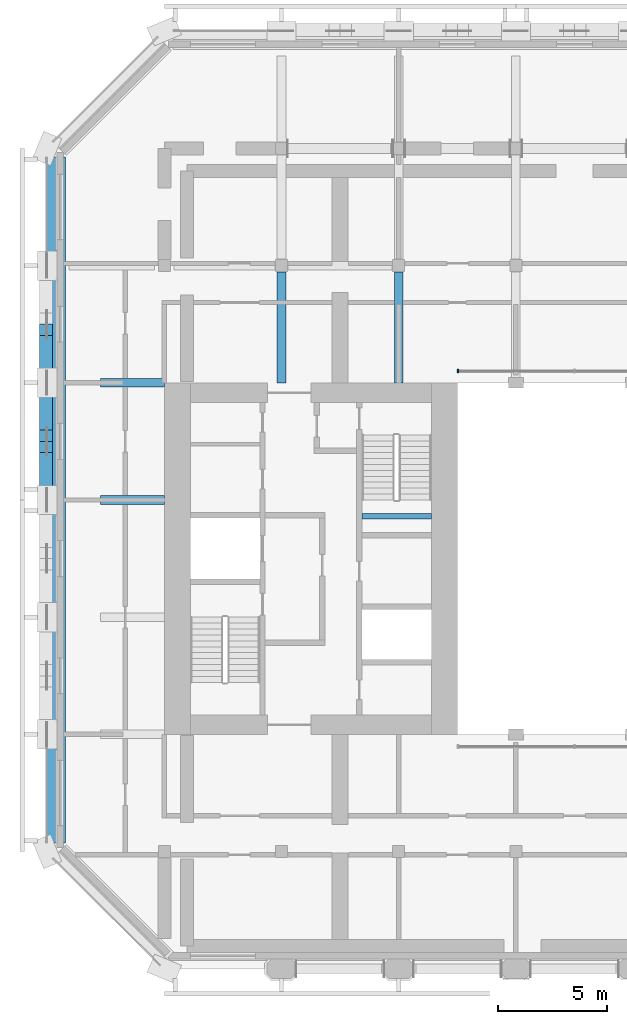
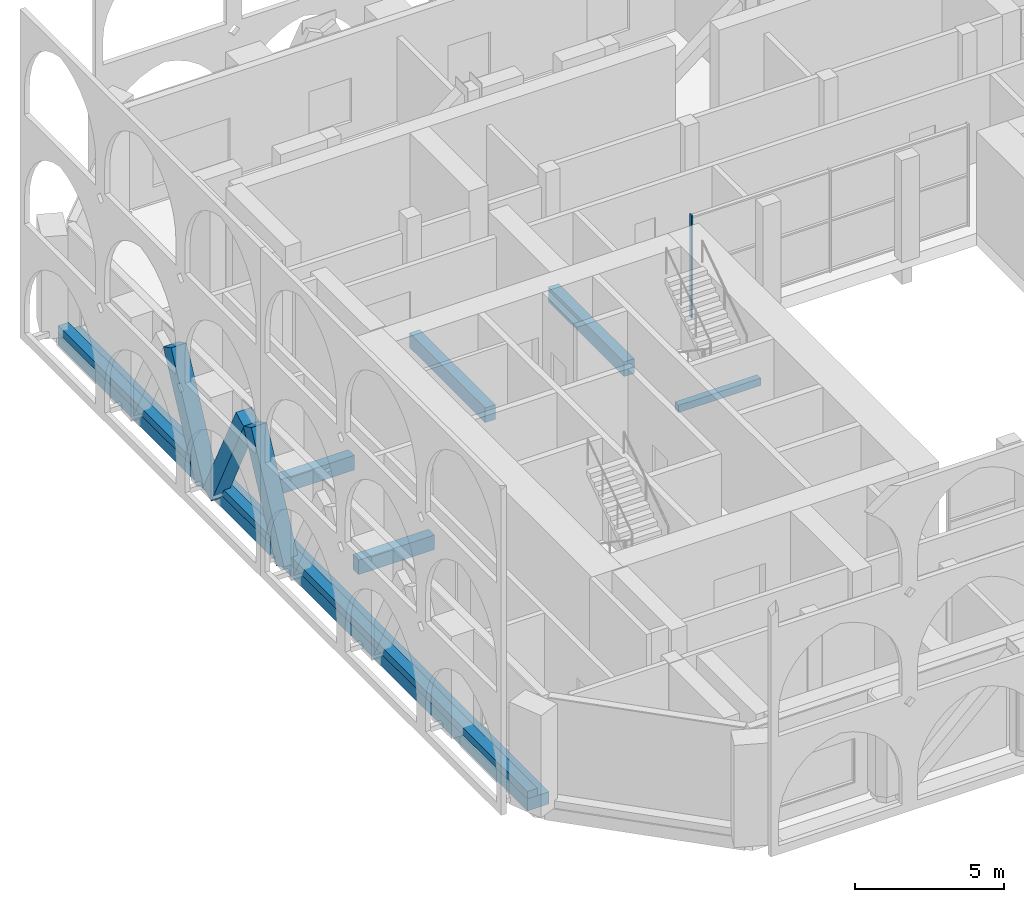
# One storey, part 3 of 16: 7 beams, 4 members, 1 element without a shape of its own.
"""IFC4 building model written with IfcOpenShell, lengths in metres."""

import ifcopenshell
import ifcopenshell.guid

model = None  # the IFC model being written
_history = None  # IfcOwnerHistory: only IFC2X3 demands one
_inside = {}  # id of a spatial element -> (the spatial element, [elements in it])
_under = {}  # id of a project, library or spatial element -> (it, [spatial elements below it])
_declared = {}  # id of a project -> (the project, [libraries it declares])
_typed = {}  # id of a type object -> (the type object, [elements of that type])
_made_of = {}  # id of a material, layer set ... -> (it, [elements and type objects made of it])


def new_model(schema):
    """Start an empty IFC model of exactly this schema.

    Asked for "IFC4X3", IfcOpenShell would pick the latest addendum, in which some entities
    have other attributes; the version numbers below select the first issue.
    IFC2X3 requires an IfcOwnerHistory on every rooted entity: one is made here for all.
    """
    global model, _history
    if schema == "IFC4X3":
        model = ifcopenshell.file(schema_version=(4, 3, 0, 0))
    else:
        model = ifcopenshell.file(schema=schema)
    _inside.clear()
    _under.clear()
    _declared.clear()
    _typed.clear()
    _made_of.clear()
    _history = None
    if model.schema == "IFC2X3":
        org = make("IfcOrganization", Name="unknown")
        user = make(
            "IfcPersonAndOrganization",
            ThePerson=make("IfcPerson", FamilyName="unknown"),
            TheOrganization=org,
        )
        app = make(
            "IfcApplication",
            ApplicationDeveloper=org,
            Version="unknown",
            ApplicationFullName="unknown",
            ApplicationIdentifier="unknown",
        )
        _history = make(
            "IfcOwnerHistory",
            OwningUser=user,
            OwningApplication=app,
            ChangeAction="ADDED",
            CreationDate=0,
        )
    return model


def make(cls, **values):
    """One entity of the class cls with the attributes given. An attribute that is None is left unset."""
    return model.create_entity(
        cls, **{name: value for name, value in values.items() if value is not None}
    )


def rooted(cls, **values):
    """An entity with a GlobalId (a new one), such as an element, a storey or a relation."""
    return make(cls, GlobalId=ifcopenshell.guid.new(), OwnerHistory=_history, **values)


def si_unit(unit_type, name, prefix=None):
    """IfcSIUnit, for example si_unit("LENGTHUNIT", "METRE", prefix="MILLI")."""
    return make("IfcSIUnit", UnitType=unit_type, Prefix=prefix, Name=name)


def assignment(units):
    """IfcUnitAssignment: the units of a project."""
    return None if units is None else make("IfcUnitAssignment", Units=units)


def point(xyz):
    """IfcCartesianPoint."""
    return None if xyz is None else make("IfcCartesianPoint", Coordinates=xyz)


def direction(xyz):
    """IfcDirection."""
    return None if xyz is None else make("IfcDirection", DirectionRatios=xyz)


def frame(location, z_axis=None, x_axis=None):
    """IfcAxis2Placement3D, a coordinate frame: its origin and axes. An axis left out is left unset."""
    return make(
        "IfcAxis2Placement3D",
        Location=point(location),
        Axis=direction(z_axis),
        RefDirection=direction(x_axis),
    )


def frame_2d(location, x_axis=None):
    """IfcAxis2Placement2D, a coordinate frame in the plane: its origin and x axis."""
    return make(
        "IfcAxis2Placement2D", Location=point(location), RefDirection=direction(x_axis)
    )


def origin():
    """The frame at (0, 0, 0) with its axes left unset."""
    return frame((0.0, 0.0, 0.0))


def origin_2d():
    """The frame at (0, 0) in the plane with its x axis left unset."""
    return frame_2d((0.0, 0.0))


def place(relative_to, where):
    """IfcLocalPlacement: puts the frame where relative to a parent placement (None: the world)."""
    return make(
        "IfcLocalPlacement", PlacementRelTo=relative_to, RelativePlacement=where
    )


def context(
    kind, dimensions, precision=None, world=None, true_north=None, identifier=None
):
    """IfcGeometricRepresentationContext, for example the 3D "Model" context."""
    return make(
        "IfcGeometricRepresentationContext",
        ContextIdentifier=identifier,
        ContextType=kind,
        CoordinateSpaceDimension=dimensions,
        Precision=precision,
        WorldCoordinateSystem=world,
        TrueNorth=true_north,
    )


def subcontext(parent, identifier, kind, view, scale=None):
    """IfcGeometricRepresentationSubContext, for example "Body" below "Model"."""
    return make(
        "IfcGeometricRepresentationSubContext",
        ContextIdentifier=identifier,
        ContextType=kind,
        ParentContext=parent,
        TargetScale=scale,
        TargetView=view,
    )


def project(units=None, contexts=None):
    """IfcProject with its units and contexts."""
    return rooted(
        "IfcProject",
        Name="project",
        RepresentationContexts=contexts,
        UnitsInContext=assignment(units),
    )


def spatial(cls, under=None, at=None, **own):
    """A site, building, storey or space (cls), placed at a placement, below another one or the project."""
    s = rooted(cls, ObjectPlacement=at, **own)
    if under is not None:
        _under.setdefault(under.id(), (under, []))[1].append(s)
    return s


def profile(cls, at=None, kind="AREA", **sizes):
    """A parametric profile (cls). Its sizes go by their IFC names, for example OverallWidth=200.0."""
    return make(cls, ProfileType=kind, Position=at, **sizes)


def rectangle(**sizes):
    """IfcRectangleProfileDef."""
    return profile("IfcRectangleProfileDef", **sizes)


def extrude(swept, where, along, depth):
    """IfcExtrudedAreaSolid: the profile swept, set in the frame where, extruded along a direction by depth."""
    return make(
        "IfcExtrudedAreaSolid",
        SweptArea=swept,
        Position=where,
        ExtrudedDirection=direction(along),
        Depth=depth,
    )


def shape(context_of_items, identifier, shape_type, items):
    """IfcShapeRepresentation: the items that make up one representation, for example the "Body"."""
    return make(
        "IfcShapeRepresentation",
        ContextOfItems=context_of_items,
        RepresentationIdentifier=identifier,
        RepresentationType=shape_type,
        Items=items,
    )


def material(Name=None, Category=None):
    """IfcMaterial."""
    return make("IfcMaterial", Name=Name, Category=Category)


def material_profile(
    of_material, cross_section, Name=None, Category=None, Priority=None
):
    """IfcMaterialProfile: a cross section and its material."""
    return make(
        "IfcMaterialProfile",
        Name=Name,
        Material=of_material,
        Profile=cross_section,
        Priority=Priority,
        Category=Category,
    )


def profile_set(profiles, Name=None, composite=None):
    """IfcMaterialProfileSet."""
    return make(
        "IfcMaterialProfileSet",
        Name=Name,
        MaterialProfiles=profiles,
        CompositeProfile=composite,
    )


def made_of(thing, what):
    """Note that an element or type object is made of a material, layer set ...; save() writes the relation."""
    if what is not None:
        _made_of.setdefault(what.id(), (what, []))[1].append(thing)
    return thing


def type_object(cls, material=None, **own):
    """A type object (cls), such as IfcWallType, which elements share."""
    return made_of(rooted(cls, **own), material)


def element(
    cls,
    number,
    at=None,
    inside=None,
    cuts=None,
    type_object=None,
    material=None,
    context=None,
    identifier="Body",
    shape_type=None,
    held_by="IfcProductDefinitionShape",
    body=None,
    shapes=None,
    **own,
):
    """One element of the class cls, such as IfcWall. Its Tag is "e" and its number.

    at: its placement. inside: the storey or other place that contains it. cuts: it is an
    opening in that element (IfcRelVoidsElement). A single representation is given by context,
    identifier, shape_type and body (its items); several are given by shapes. held_by: the class
    of the entity that holds the representations. save() writes the other relations.
    """
    e = rooted(cls, Tag="e%d" % number, ObjectPlacement=at, **own)
    if body is not None:
        shapes = [shape(context, identifier, shape_type, body)]
    if shapes is not None:
        e.Representation = make(held_by, Representations=shapes)
    if inside is not None:
        _inside.setdefault(inside.id(), (inside, []))[1].append(e)
    if cuts is not None:
        rooted(
            "IfcRelVoidsElement", RelatingBuildingElement=cuts, RelatedOpeningElement=e
        )
    if type_object is not None:
        _typed.setdefault(type_object.id(), (type_object, []))[1].append(e)
    return made_of(e, material)


def aggregate(whole, parts):
    """IfcRelAggregates: a whole, such as a stair, and the parts it consists of."""
    return rooted("IfcRelAggregates", RelatingObject=whole, RelatedObjects=parts)


def save(model, path):
    """Write the relations noted so far, then the file.

    IfcRelAggregates (storeys below a building ...), IfcRelContainedInSpatialStructure (elements
    in a storey), IfcRelDefinesByType, IfcRelAssociatesMaterial and IfcRelDeclares: one each for
    every whole, place, type object, material and project.
    """
    for whole, parts in _under.values():
        aggregate(whole, parts)
    for where, things in _inside.values():
        rooted(
            "IfcRelContainedInSpatialStructure",
            RelatedElements=things,
            RelatingStructure=where,
        )
    for kind, things in _typed.values():
        rooted("IfcRelDefinesByType", RelatedObjects=things, RelatingType=kind)
    for what, things in _made_of.values():
        rooted("IfcRelAssociatesMaterial", RelatedObjects=things, RelatingMaterial=what)
    for by, libraries in _declared.values():
        rooted("IfcRelDeclares", RelatingContext=by, RelatedDefinitions=libraries)
    model.write(path)


model = new_model("IFC4")

# Units and contexts
model_context = context("Model", 3, precision=1e-05, world=origin(), true_north=direction((0.0, 1.0)))
body_context = subcontext(model_context, "Body", "Model", "MODEL_VIEW")
ifc_project = project(units=[si_unit("LENGTHUNIT", "METRE"), si_unit("AREAUNIT", "SQUARE_METRE"), si_unit("VOLUMEUNIT", "CUBIC_METRE"), si_unit("PLANEANGLEUNIT", "RADIAN"), si_unit("MASSUNIT", "GRAM", prefix="KILO")], contexts=[model_context])

# Site, building, storey
site_placement = place(None, origin())
site = spatial("IfcSite", under=ifc_project, at=site_placement, CompositionType="ELEMENT")
building_placement = place(site_placement, origin())
building = spatial("IfcBuilding", under=site, at=building_placement, Name="Tabaq Tower and Sports Hall", CompositionType="ELEMENT")
storey_placement = place(building_placement, frame((0.0, 0.0, 308.199951171875)))
storey = spatial("IfcBuildingStorey", under=building, at=storey_placement, Name="L77", CompositionType="ELEMENT", Elevation=308.199951171875)

# Curtain wall, member
ifc_material_1 = material(Name="Aluminium alloy 6063-T6 framed glazing", Category="aluminium")
curtain_wall_type = type_object("IfcCurtainWallType", Name="CW1 curtain wall", PredefinedType="USERDEFINED", material=ifc_material_1)
curtain_wall_placement = place(storey_placement, origin())
curtain_wall = element("IfcCurtainWall", 1, at=curtain_wall_placement, inside=storey, type_object=curtain_wall_type, Name="Atrium glazing L77 N", ObjectType="ATRIUM ENCLOSURE", PredefinedType="USERDEFINED")
ifc_material_2 = material(Name="Aluminium alloy 6063-T6", Category="aluminium")
ifc_material_profile_1 = material_profile(ifc_material_2, rectangle(XDim=0.159912109375, YDim=0.06005859375, at=origin_2d()), Name="MULLION 160x60")
ifc_profile_set_1 = profile_set([ifc_material_profile_1], Name="Aluminium alloy 6063-T6")
member_type_1 = type_object("IfcMemberType", Name="CW1 mullion 160x60", PredefinedType="MULLION", material=ifc_profile_set_1)
member_1_placement = place(storey_placement, frame((18.929931640625, 32.949951171875, 0.0), z_axis=(0.0, 0.0, 1.0), x_axis=(0.0, 1.0, 0.0)))
member_1 = element("IfcMember", 2, at=member_1_placement, type_object=member_type_1, Name="CW1 mullion 1", PredefinedType="MULLION", context=body_context, shape_type="SweptSolid", body=[
    extrude(rectangle(XDim=0.159912109375, YDim=0.06005859375, at=origin_2d()), origin(), (0.0, 0.0, 1.0), 4.199951171875),
])
aggregate(curtain_wall, [member_1])

# Beams
ifc_material_3 = material(Name="Concrete C40/50", Category="concrete")
ifc_material_profile_2 = material_profile(ifc_material_3, rectangle(XDim=0.39990234375, YDim=0.60009765625, at=origin_2d()), Name="CB 400x600")
ifc_profile_set_2 = profile_set([ifc_material_profile_2], Name="Concrete C40/50")
beam_type_1 = type_object("IfcBeamType", Name="PT CANTILEVER BEAM CB 400x600 C40/50", PredefinedType="BEAM", material=ifc_profile_set_2)
for number, where, z_axis, x_axis, name in (
    (3, (2.449951171875, 27.0, -0.800048828125), (1.0, 0.0, 0.0), (0.0, 1.0, 0.0), "Cantilever Beam L77 W5 span 1"),
    (4, (2.449951171875, 32.39990234375, -0.800048828125), (1.0, 0.0, 0.0), (0.0, 1.0, 0.0), "Cantilever Beam L77 W6 span 1"),
):
    element("IfcBeam", number, at=place(storey_placement, frame(where, z_axis=z_axis, x_axis=x_axis)), inside=storey, type_object=beam_type_1, Name=name, PredefinedType="BEAM", context=body_context, shape_type="SweptSolid", body=[
        extrude(rectangle(XDim=0.39990234375, YDim=0.60009765625, at=origin_2d()), origin(), (0.0, 0.0, 1.0), 2.949951171875),
    ])
for number, where, z_axis, x_axis, name in (
    (5, (10.800048828125, 37.5, -0.800048828125), (0.0, -1.0, 0.0), (1.0, 0.0, 0.0), "Cantilever Beam L77 N2 span 3"),
    (6, (16.199951171875, 37.5, -0.800048828125), (0.0, -1.0, 0.0), (1.0, 0.0, 0.0), "Cantilever Beam L77 N3 span 3"),
):
    element("IfcBeam", number, at=place(storey_placement, frame(where, z_axis=z_axis, x_axis=x_axis)), inside=storey, type_object=beam_type_1, Name=name, PredefinedType="BEAM", context=body_context, shape_type="SweptSolid", body=[
        extrude(rectangle(XDim=0.39990234375, YDim=0.60009765625, at=origin_2d()), origin(), (0.0, 0.0, 1.0), 5.10009765625),
    ])
ifc_material_4 = material(Name="Concrete C40/50", Category="concrete")
ifc_material_profile_3 = material_profile(ifc_material_4, rectangle(XDim=0.85009765625, YDim=0.5, at=origin_2d()), Name="EB 850x500")
ifc_profile_set_3 = profile_set([ifc_material_profile_3], Name="Concrete C40/50")
beam_type_2 = type_object("IfcBeamType", Name="PT EDGE BEAM EB 850x500 C40/50", PredefinedType="SPANDREL", material=ifc_profile_set_3)
beam_1_placement = place(storey_placement, frame((0.425048828125, 42.7978515625, -0.25), z_axis=(0.0, -1.0, 0.0), x_axis=(1.0, 0.0, 0.0)))
element("IfcBeam", 7, at=beam_1_placement, inside=storey, type_object=beam_type_2, Name="Edge Beam L77 4", PredefinedType="SPANDREL", context=body_context, shape_type="SweptSolid", body=[
    extrude(rectangle(XDim=0.85009765625, YDim=0.5, at=origin_2d()), origin(), (0.0, 0.0, 1.0), 31.595703125),
])
ifc_material_5 = material(Name="Concrete C40/50", Category="concrete")
ifc_material_profile_4 = material_profile(ifc_material_5, rectangle(XDim=0.39990234375, YDim=0.300048828125, at=origin_2d()), Name="EU 400x300")
ifc_profile_set_4 = profile_set([ifc_material_profile_4], Name="Concrete C40/50")
beam_type_3 = type_object("IfcBeamType", Name="PT EDGE UPSTAND EU 400x300 C40/50", PredefinedType="BEAM", material=ifc_profile_set_4)
beam_2_placement = place(storey_placement, frame((0.199951171875, 42.7978515625, 0.150146484375), z_axis=(0.0, -1.0, 0.0), x_axis=(1.0, 0.0, 0.0)))
element("IfcBeam", 8, at=beam_2_placement, inside=storey, type_object=beam_type_3, Name="Edge Upstand L77 4", PredefinedType="BEAM", context=body_context, shape_type="SweptSolid", body=[
    extrude(rectangle(XDim=0.39990234375, YDim=0.300048828125, at=origin_2d()), origin(), (0.0, 0.0, 1.0), 31.595703125),
])

# Members
ifc_material_6 = material(Name="Concrete C40/50", Category="concrete")
ifc_material_profile_5 = material_profile(ifc_material_6, rectangle(XDim=0.60009765625, YDim=0.60009765625, at=origin_2d()), Name="TRANSFER BAND BRACE 600x600")
ifc_profile_set_5 = profile_set([ifc_material_profile_5], Name="Concrete C40/50")
member_type_2 = type_object("IfcMemberType", Name="RC TRANSFER BAND BRACE 600x600 C40/50", PredefinedType="BRACE", material=ifc_profile_set_5)
for number, where, z_axis, x_axis, name in (
    (9, (-0.050048828125, 27.25, -0.050048828125), (0.0, 0.447193744375, 0.894437116287), (-1.0, 0.0, 0.0), "Transfer Band Brace L77 West 13"),
    (10, (-0.050048828125, 32.14990234375, -0.050048828125), (0.0, -0.447193744375, 0.894437116287), (1.0, 0.0, 0.0), "Transfer Band Brace L77 West 14"),
):
    element("IfcMember", number, at=place(storey_placement, frame(where, z_axis=z_axis, x_axis=x_axis)), inside=storey, type_object=member_type_2, Name=name, PredefinedType="BRACE", context=body_context, shape_type="SweptSolid", body=[
        extrude(rectangle(XDim=0.60009765625, YDim=0.60009765625, at=origin_2d()), origin(), (0.0, 0.0, 1.0), 4.91943359375),
    ])
member_2_placement = place(storey_placement, frame((-0.050048828125, 32.64990234375, -0.050048828125), z_axis=(0.0, 0.447233445964, 0.894417265492), x_axis=(-1.0, 0.0, 0.0)))
element("IfcMember", 11, at=member_2_placement, inside=storey, type_object=member_type_2, Name="Transfer Band Brace L77 West 15", PredefinedType="BRACE", context=body_context, shape_type="SweptSolid", body=[
    extrude(rectangle(XDim=0.60009765625, YDim=0.60009765625, at=origin_2d()), origin(), (0.0, 0.0, 1.0), 4.919677734375),
])

# Beam
ifc_material_7 = material(Name="Concrete C40/50", Category="concrete")
ifc_material_profile_6 = material_profile(ifc_material_7, rectangle(XDim=0.25, YDim=0.300048828125, at=origin_2d()), Name="RC 250x300")
ifc_profile_set_6 = profile_set([ifc_material_profile_6], Name="Concrete C40/50")
beam_type_4 = type_object("IfcBeamType", Name="Stair landing beam 250x300", PredefinedType="BEAM", material=ifc_profile_set_6)
beam_3_placement = place(storey_placement, frame((14.5, 26.25, 1.900146484375), z_axis=(1.0, 0.0, 0.0), x_axis=(0.0, 1.0, 0.0)))
element("IfcBeam", 12, at=beam_3_placement, inside=storey, type_object=beam_type_4, Name="L77 ST2 landing beam 1", PredefinedType="BEAM", context=body_context, shape_type="SweptSolid", body=[
    extrude(rectangle(XDim=0.25, YDim=0.300048828125, at=origin_2d()), origin(), (0.0, 0.0, 1.0), 3.199951171875),
])

save(model, "model.ifc")
